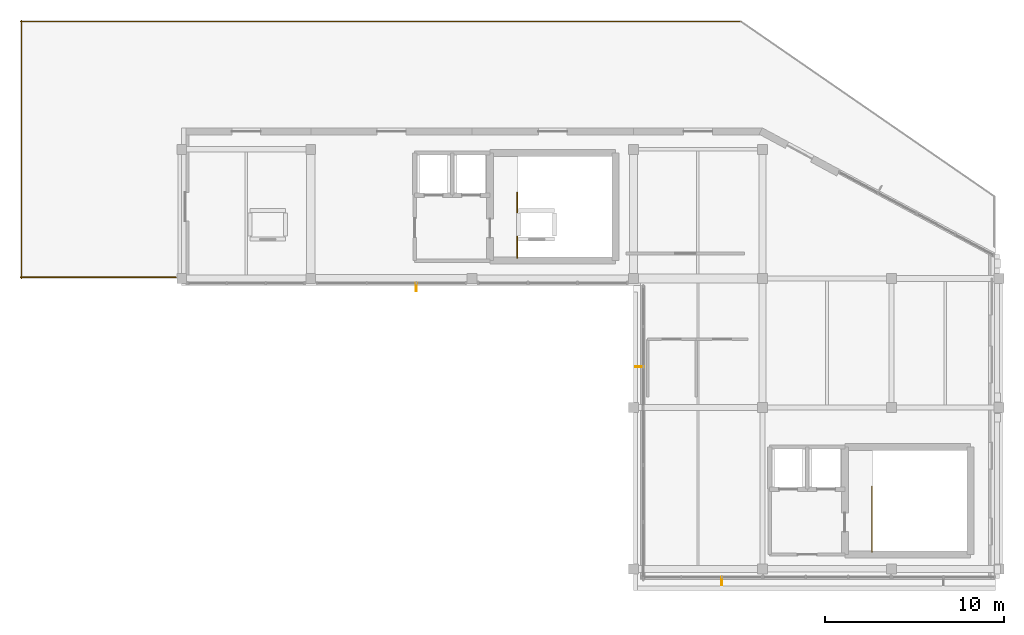
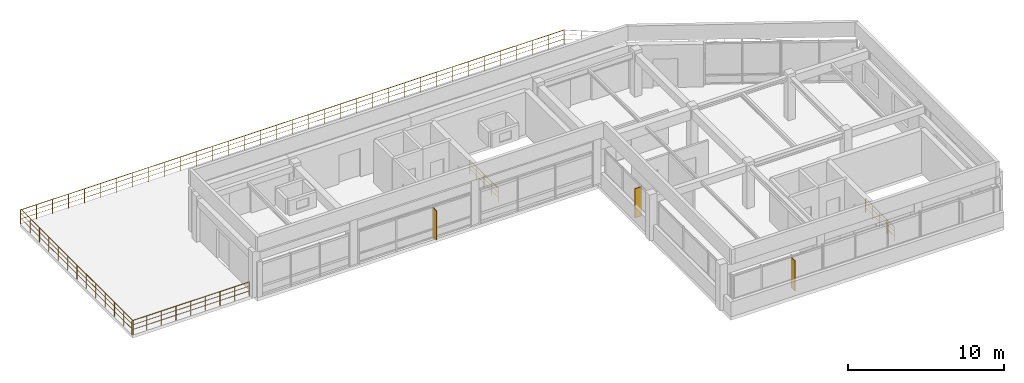
# One storey, part 9 of 10: 5 railings, 3 shading devices.
"""IFC4 building model written with IfcOpenShell, lengths in metres."""

from ifc_helpers import new_model, si_unit, direction, frame, frame_2d, origin, origin_2d, place, context, subcontext, project, spatial, rectangle, circle, extrude, material, layer, layer_set, type_object, element, save


model = new_model("IFC4")

# Units and contexts
model_context = context("Model", 3, precision=1e-05, world=origin(), true_north=direction((0.0, 1.0)))
body_context = subcontext(model_context, "Body", "Model", "MODEL_VIEW")
ifc_project = project(units=[si_unit("LENGTHUNIT", "METRE"), si_unit("AREAUNIT", "SQUARE_METRE"), si_unit("VOLUMEUNIT", "CUBIC_METRE"), si_unit("PLANEANGLEUNIT", "RADIAN"), si_unit("MASSUNIT", "GRAM", prefix="KILO")], contexts=[model_context])

# Site, building, storey
site_placement = place(None, origin())
site = spatial("IfcSite", under=ifc_project, at=site_placement, CompositionType="ELEMENT")
building_placement = place(site_placement, origin())
building = spatial("IfcBuilding", under=site, at=building_placement, Name="Clarverna Civic Hall", CompositionType="ELEMENT")
storey_placement = place(building_placement, frame((0.0, 0.0, 27.60009765625)))
storey = spatial("IfcBuildingStorey", under=building, at=storey_placement, Name="L07", CompositionType="ELEMENT", Elevation=27.60009765625)

# Railings
ifc_material_1 = material(Name="Anodised Bronze Architectural Balustrade")
railing_type_1 = type_object("IfcRailingType", Name="GR-01", PredefinedType="BALUSTRADE", material=ifc_material_1)
railing_1_placement = place(storey_placement, frame((113.39990234375, 109.340087890625, 0.0)))
element("IfcRailing", 1, at=railing_1_placement, inside=storey, type_object=railing_type_1, Name="GR-01-048", PredefinedType="BALUSTRADE", context=body_context, shape_type="SweptSolid", body=[
    extrude(circle(Radius=0.02392578125, at=origin_2d()), frame((0.0, 0.0, 1.09619140625), z_axis=(1.0, 0.0, 0.0), x_axis=(0.0, 1.0, 0.0)), (0.0, 0.0, 1.0), 40.2001953125),
    extrude(circle(Radius=0.011962890625, at=origin_2d()), frame((0.0, 0.0, 0.39208984375), z_axis=(1.0, 0.0, 0.0), x_axis=(0.0, 1.0, 0.0)), (0.0, 0.0, 1.0), 40.2001953125),
    extrude(circle(Radius=0.011962890625, at=origin_2d()), frame((0.0, 0.0, 0.76171875), z_axis=(1.0, 0.0, 0.0), x_axis=(0.0, 1.0, 0.0)), (0.0, 0.0, 1.0), 40.2001953125),
    extrude(circle(Radius=0.02099609375, at=origin_2d()), origin(), (0.0, 0.0, 1.0), 1.072021484375),
    extrude(circle(Radius=0.02099609375, at=origin_2d()), frame((1.182373046875, 0.0, 0.0)), (0.0, 0.0, 1.0), 1.072021484375),
    extrude(circle(Radius=0.02099609375, at=origin_2d()), frame((2.36474609375, 0.0, 0.0)), (0.0, 0.0, 1.0), 1.072021484375),
    extrude(circle(Radius=0.02099609375, at=origin_2d()), frame((3.547119140625, 0.0, 0.0)), (0.0, 0.0, 1.0), 1.072021484375),
    extrude(circle(Radius=0.02099609375, at=origin_2d()), frame((4.7294921875, 0.0, 0.0)), (0.0, 0.0, 1.0), 1.072021484375),
    extrude(circle(Radius=0.02099609375, at=origin_2d()), frame((5.911865234375, 0.0, 0.0)), (0.0, 0.0, 1.0), 1.072021484375),
    extrude(circle(Radius=0.02099609375, at=origin_2d()), frame((7.09423828125, 0.0, 0.0)), (0.0, 0.0, 1.0), 1.072021484375),
    extrude(circle(Radius=0.02099609375, at=origin_2d()), frame((8.276611328125, 0.0, 0.0)), (0.0, 0.0, 1.0), 1.072021484375),
    extrude(circle(Radius=0.02099609375, at=origin_2d()), frame((9.458984375, 0.0, 0.0)), (0.0, 0.0, 1.0), 1.072021484375),
    extrude(circle(Radius=0.02099609375, at=origin_2d()), frame((10.64111328125, 0.0, 0.0)), (0.0, 0.0, 1.0), 1.072021484375),
    extrude(circle(Radius=0.02099609375, at=origin_2d()), frame((11.823486328125, 0.0, 0.0)), (0.0, 0.0, 1.0), 1.072021484375),
    extrude(circle(Radius=0.02099609375, at=origin_2d()), frame((13.005859375, 0.0, 0.0)), (0.0, 0.0, 1.0), 1.072021484375),
    extrude(circle(Radius=0.02099609375, at=origin_2d()), frame((14.188232421875, 0.0, 0.0)), (0.0, 0.0, 1.0), 1.072021484375),
    extrude(circle(Radius=0.02099609375, at=origin_2d()), frame((15.37060546875, 0.0, 0.0)), (0.0, 0.0, 1.0), 1.072021484375),
    extrude(circle(Radius=0.02099609375, at=origin_2d()), frame((16.552978515625, 0.0, 0.0)), (0.0, 0.0, 1.0), 1.072021484375),
    extrude(circle(Radius=0.02099609375, at=origin_2d()), frame((17.7353515625, 0.0, 0.0)), (0.0, 0.0, 1.0), 1.072021484375),
    extrude(circle(Radius=0.02099609375, at=origin_2d()), frame((18.917724609375, 0.0, 0.0)), (0.0, 0.0, 1.0), 1.072021484375),
    extrude(circle(Radius=0.02099609375, at=origin_2d()), frame((20.10009765625, 0.0, 0.0)), (0.0, 0.0, 1.0), 1.072021484375),
    extrude(circle(Radius=0.02099609375, at=origin_2d()), frame((21.282470703125, 0.0, 0.0)), (0.0, 0.0, 1.0), 1.072021484375),
    extrude(circle(Radius=0.02099609375, at=origin_2d()), frame((22.46484375, 0.0, 0.0)), (0.0, 0.0, 1.0), 1.072021484375),
    extrude(circle(Radius=0.02099609375, at=origin_2d()), frame((23.647216796875, 0.0, 0.0)), (0.0, 0.0, 1.0), 1.072021484375),
    extrude(circle(Radius=0.02099609375, at=origin_2d()), frame((24.82958984375, 0.0, 0.0)), (0.0, 0.0, 1.0), 1.072021484375),
    extrude(circle(Radius=0.02099609375, at=origin_2d()), frame((26.011962890625, 0.0, 0.0)), (0.0, 0.0, 1.0), 1.072021484375),
    extrude(circle(Radius=0.02099609375, at=origin_2d()), frame((27.1943359375, 0.0, 0.0)), (0.0, 0.0, 1.0), 1.072021484375),
    extrude(circle(Radius=0.02099609375, at=origin_2d()), frame((28.376708984375, 0.0, 0.0)), (0.0, 0.0, 1.0), 1.072021484375),
    extrude(circle(Radius=0.02099609375, at=origin_2d()), frame((29.55908203125, 0.0, 0.0)), (0.0, 0.0, 1.0), 1.072021484375),
    extrude(circle(Radius=0.02099609375, at=origin_2d()), frame((30.7412109375, 0.0, 0.0)), (0.0, 0.0, 1.0), 1.072021484375),
    extrude(circle(Radius=0.02099609375, at=origin_2d()), frame((31.923583984375, 0.0, 0.0)), (0.0, 0.0, 1.0), 1.072021484375),
    extrude(circle(Radius=0.02099609375, at=origin_2d()), frame((33.10595703125, 0.0, 0.0)), (0.0, 0.0, 1.0), 1.072021484375),
    extrude(circle(Radius=0.02099609375, at=origin_2d()), frame((34.288330078125, 0.0, 0.0)), (0.0, 0.0, 1.0), 1.072021484375),
    extrude(circle(Radius=0.02099609375, at=origin_2d()), frame((35.470703125, 0.0, 0.0)), (0.0, 0.0, 1.0), 1.072021484375),
    extrude(circle(Radius=0.02099609375, at=origin_2d()), frame((36.653076171875, 0.0, 0.0)), (0.0, 0.0, 1.0), 1.072021484375),
    extrude(circle(Radius=0.02099609375, at=origin_2d()), frame((37.83544921875, 0.0, 0.0)), (0.0, 0.0, 1.0), 1.072021484375),
    extrude(circle(Radius=0.02099609375, at=origin_2d()), frame((39.017822265625, 0.0, 0.0)), (0.0, 0.0, 1.0), 1.072021484375),
    extrude(circle(Radius=0.02099609375, at=origin_2d()), frame((40.2001953125, 0.0, 0.0)), (0.0, 0.0, 1.0), 1.072021484375),
])
railing_2_placement = place(storey_placement, frame((122.080078125, 95.06005859375, 0.0)))
element("IfcRailing", 2, at=railing_2_placement, inside=storey, type_object=railing_type_1, Name="GR-01-051", PredefinedType="BALUSTRADE", context=body_context, shape_type="SweptSolid", body=[
    extrude(circle(Radius=0.02392578125, at=origin_2d()), frame((0.0, 0.0, 1.09619140625), z_axis=(-1.0, 0.0, 0.0), x_axis=(0.0, -1.0, 0.0)), (0.0, 0.0, 1.0), 8.68017578125),
    extrude(circle(Radius=0.011962890625, at=origin_2d()), frame((0.0, 0.0, 0.39208984375), z_axis=(-1.0, 0.0, 0.0), x_axis=(0.0, -1.0, 0.0)), (0.0, 0.0, 1.0), 8.68017578125),
    extrude(circle(Radius=0.011962890625, at=origin_2d()), frame((0.0, 0.0, 0.76171875), z_axis=(-1.0, 0.0, 0.0), x_axis=(0.0, -1.0, 0.0)), (0.0, 0.0, 1.0), 8.68017578125),
    extrude(circle(Radius=0.02099609375, at=origin_2d()), origin(), (0.0, 0.0, 1.0), 1.072021484375),
    extrude(circle(Radius=0.02099609375, at=origin_2d()), frame((-1.0849609375, 0.0, 0.0)), (0.0, 0.0, 1.0), 1.072021484375),
    extrude(circle(Radius=0.02099609375, at=origin_2d()), frame((-2.169921875, 0.0, 0.0)), (0.0, 0.0, 1.0), 1.072021484375),
    extrude(circle(Radius=0.02099609375, at=origin_2d()), frame((-3.255126953125, 0.0, 0.0)), (0.0, 0.0, 1.0), 1.072021484375),
    extrude(circle(Radius=0.02099609375, at=origin_2d()), frame((-4.340087890625, 0.0, 0.0)), (0.0, 0.0, 1.0), 1.072021484375),
    extrude(circle(Radius=0.02099609375, at=origin_2d()), frame((-5.425048828125, 0.0, 0.0)), (0.0, 0.0, 1.0), 1.072021484375),
    extrude(circle(Radius=0.02099609375, at=origin_2d()), frame((-6.51025390625, 0.0, 0.0)), (0.0, 0.0, 1.0), 1.072021484375),
    extrude(circle(Radius=0.02099609375, at=origin_2d()), frame((-7.59521484375, 0.0, 0.0)), (0.0, 0.0, 1.0), 1.072021484375),
    extrude(circle(Radius=0.02099609375, at=origin_2d()), frame((-8.68017578125, 0.0, 0.0)), (0.0, 0.0, 1.0), 1.072021484375),
])
railing_3_placement = place(storey_placement, frame((113.4599609375, 95.0, 0.0)))
element("IfcRailing", 3, at=railing_3_placement, inside=storey, type_object=railing_type_1, Name="GR-01-052", PredefinedType="BALUSTRADE", context=body_context, shape_type="SweptSolid", body=[
    extrude(circle(Radius=0.02392578125, at=origin_2d()), frame((0.0, 0.0, 1.09619140625), z_axis=(0.0, 1.0, 0.0), x_axis=(-1.0, 0.0, 0.0)), (0.0, 0.0, 1.0), 14.39990234375),
    extrude(circle(Radius=0.011962890625, at=origin_2d()), frame((0.0, 0.0, 0.39208984375), z_axis=(0.0, 1.0, 0.0), x_axis=(-1.0, 0.0, 0.0)), (0.0, 0.0, 1.0), 14.39990234375),
    extrude(circle(Radius=0.011962890625, at=origin_2d()), frame((0.0, 0.0, 0.76171875), z_axis=(0.0, 1.0, 0.0), x_axis=(-1.0, 0.0, 0.0)), (0.0, 0.0, 1.0), 14.39990234375),
    extrude(circle(Radius=0.02099609375, at=origin_2d()), origin(), (0.0, 0.0, 1.0), 1.072021484375),
    extrude(circle(Radius=0.02099609375, at=origin_2d()), frame((0.0, 1.199951171875, 0.0)), (0.0, 0.0, 1.0), 1.072021484375),
    extrude(circle(Radius=0.02099609375, at=origin_2d()), frame((0.0, 2.39990234375, 0.0)), (0.0, 0.0, 1.0), 1.072021484375),
    extrude(circle(Radius=0.02099609375, at=origin_2d()), frame((0.0, 3.60009765625, 0.0)), (0.0, 0.0, 1.0), 1.072021484375),
    extrude(circle(Radius=0.02099609375, at=origin_2d()), frame((0.0, 4.800048828125, 0.0)), (0.0, 0.0, 1.0), 1.072021484375),
    extrude(circle(Radius=0.02099609375, at=origin_2d()), frame((0.0, 6.0, 0.0)), (0.0, 0.0, 1.0), 1.072021484375),
    extrude(circle(Radius=0.02099609375, at=origin_2d()), frame((0.0, 7.199951171875, 0.0)), (0.0, 0.0, 1.0), 1.072021484375),
    extrude(circle(Radius=0.02099609375, at=origin_2d()), frame((0.0, 8.39990234375, 0.0)), (0.0, 0.0, 1.0), 1.072021484375),
    extrude(circle(Radius=0.02099609375, at=origin_2d()), frame((0.0, 9.599853515625, 0.0)), (0.0, 0.0, 1.0), 1.072021484375),
    extrude(circle(Radius=0.02099609375, at=origin_2d()), frame((0.0, 10.7998046875, 0.0)), (0.0, 0.0, 1.0), 1.072021484375),
    extrude(circle(Radius=0.02099609375, at=origin_2d()), frame((0.0, 12.0, 0.0)), (0.0, 0.0, 1.0), 1.072021484375),
    extrude(circle(Radius=0.02099609375, at=origin_2d()), frame((0.0, 13.199951171875, 0.0)), (0.0, 0.0, 1.0), 1.072021484375),
    extrude(circle(Radius=0.02099609375, at=origin_2d()), frame((0.0, 14.39990234375, 0.0)), (0.0, 0.0, 1.0), 1.072021484375),
])
railing_type_2 = type_object("IfcRailingType", Name="GR-02", PredefinedType="BALUSTRADE", material=ifc_material_1)
railing_4_placement = place(storey_placement, frame((141.110107421875, 96.139892578125, 0.0)))
element("IfcRailing", 4, at=railing_4_placement, inside=storey, type_object=railing_type_2, Name="GR-02-035", PredefinedType="BALUSTRADE", context=body_context, shape_type="SweptSolid", body=[
    extrude(circle(Radius=0.02392578125, at=origin_2d()), frame((0.0, 0.0, 1.09619140625), z_axis=(0.0, 1.0, 0.0), x_axis=(-1.0, 0.0, 0.0)), (0.0, 0.0, 1.0), 3.66015625),
    extrude(circle(Radius=0.011962890625, at=origin_2d()), frame((0.0, 0.0, 0.39208984375), z_axis=(0.0, 1.0, 0.0), x_axis=(-1.0, 0.0, 0.0)), (0.0, 0.0, 1.0), 3.66015625),
    extrude(circle(Radius=0.011962890625, at=origin_2d()), frame((0.0, 0.0, 0.76171875), z_axis=(0.0, 1.0, 0.0), x_axis=(-1.0, 0.0, 0.0)), (0.0, 0.0, 1.0), 3.66015625),
    extrude(circle(Radius=0.02099609375, at=origin_2d()), origin(), (0.0, 0.0, 1.0), 1.072021484375),
    extrude(circle(Radius=0.02099609375, at=origin_2d()), frame((0.0, 0.9150390625, 0.0)), (0.0, 0.0, 1.0), 1.072021484375),
    extrude(circle(Radius=0.02099609375, at=origin_2d()), frame((0.0, 1.830078125, 0.0)), (0.0, 0.0, 1.0), 1.072021484375),
    extrude(circle(Radius=0.02099609375, at=origin_2d()), frame((0.0, 2.7451171875, 0.0)), (0.0, 0.0, 1.0), 1.072021484375),
    extrude(circle(Radius=0.02099609375, at=origin_2d()), frame((0.0, 3.66015625, 0.0)), (0.0, 0.0, 1.0), 1.072021484375),
])
railing_5_placement = place(storey_placement, frame((160.909912109375, 79.739990234375, 0.0)))
element("IfcRailing", 5, at=railing_5_placement, inside=storey, type_object=railing_type_2, Name="GR-02-067", PredefinedType="BALUSTRADE", context=body_context, shape_type="SweptSolid", body=[
    extrude(circle(Radius=0.02392578125, at=origin_2d()), frame((0.0, 0.0, 1.09619140625), z_axis=(0.0, 1.0, 0.0), x_axis=(-1.0, 0.0, 0.0)), (0.0, 0.0, 1.0), 3.659912109375),
    extrude(circle(Radius=0.011962890625, at=origin_2d()), frame((0.0, 0.0, 0.39208984375), z_axis=(0.0, 1.0, 0.0), x_axis=(-1.0, 0.0, 0.0)), (0.0, 0.0, 1.0), 3.659912109375),
    extrude(circle(Radius=0.011962890625, at=origin_2d()), frame((0.0, 0.0, 0.76171875), z_axis=(0.0, 1.0, 0.0), x_axis=(-1.0, 0.0, 0.0)), (0.0, 0.0, 1.0), 3.659912109375),
    extrude(circle(Radius=0.02099609375, at=origin_2d()), origin(), (0.0, 0.0, 1.0), 1.072021484375),
    extrude(circle(Radius=0.02099609375, at=origin_2d()), frame((0.0, 0.9150390625, 0.0)), (0.0, 0.0, 1.0), 1.072021484375),
    extrude(circle(Radius=0.02099609375, at=origin_2d()), frame((0.0, 1.830078125, 0.0)), (0.0, 0.0, 1.0), 1.072021484375),
    extrude(circle(Radius=0.02099609375, at=origin_2d()), frame((0.0, 2.744873046875, 0.0)), (0.0, 0.0, 1.0), 1.072021484375),
    extrude(circle(Radius=0.02099609375, at=origin_2d()), frame((0.0, 3.659912109375, 0.0)), (0.0, 0.0, 1.0), 1.072021484375),
])

# Shading devices
ifc_material_2 = material(Name="Anodised Bronze Architectural Solar Fin", Category="aluminium")
ifc_layer = layer(ifc_material_2, 0.054931640625)
ifc_layer_set = layer_set([ifc_layer], Name="Anodised Bronze Architectural Solar Fin")
shading_device_type = type_object("IfcShadingDeviceType", Name="SD-FN1", PredefinedType="USERDEFINED", material=ifc_layer_set)
shading_device_placement = place(storey_placement, frame((152.522216796875, 78.3701171875, 0.14990234375), z_axis=(0.0, 0.0, 1.0), x_axis=(0.0, -1.0, 0.0)))
element("IfcShadingDevice", 6, at=shading_device_placement, inside=storey, type_object=shading_device_type, Name="SD-FN1-082", ObjectType="FIN", PredefinedType="USERDEFINED", context=body_context, shape_type="SweptSolid", body=[
    extrude(rectangle(XDim=0.480224609375, YDim=0.054931640625, at=frame_2d((0.240234375, 0.0))), origin(), (0.0, 0.0, 1.0), 2.360107421875),
])
for number, where, z_axis, x_axis, name in (
    (7, (148.169921875, 90.07763671875, 0.14990234375), (0.0, 0.0, 1.0), (-1.0, 0.0, 0.0), "SD-FN1-083"),
    (8, (135.48388671875, 94.77001953125, 0.14990234375), (0.0, 0.0, 1.0), (0.0, -1.0, 0.0), "SD-FN1-084"),
):
    element("IfcShadingDevice", number, at=place(storey_placement, frame(where, z_axis=z_axis, x_axis=x_axis)), inside=storey, type_object=shading_device_type, Name=name, ObjectType="FIN", PredefinedType="USERDEFINED", context=body_context, shape_type="SweptSolid", body=[
        extrude(rectangle(XDim=0.47998046875, YDim=0.054931640625, at=frame_2d((0.239990234375, 0.0))), origin(), (0.0, 0.0, 1.0), 2.2900390625),
    ])

save(model, "model.ifc")
